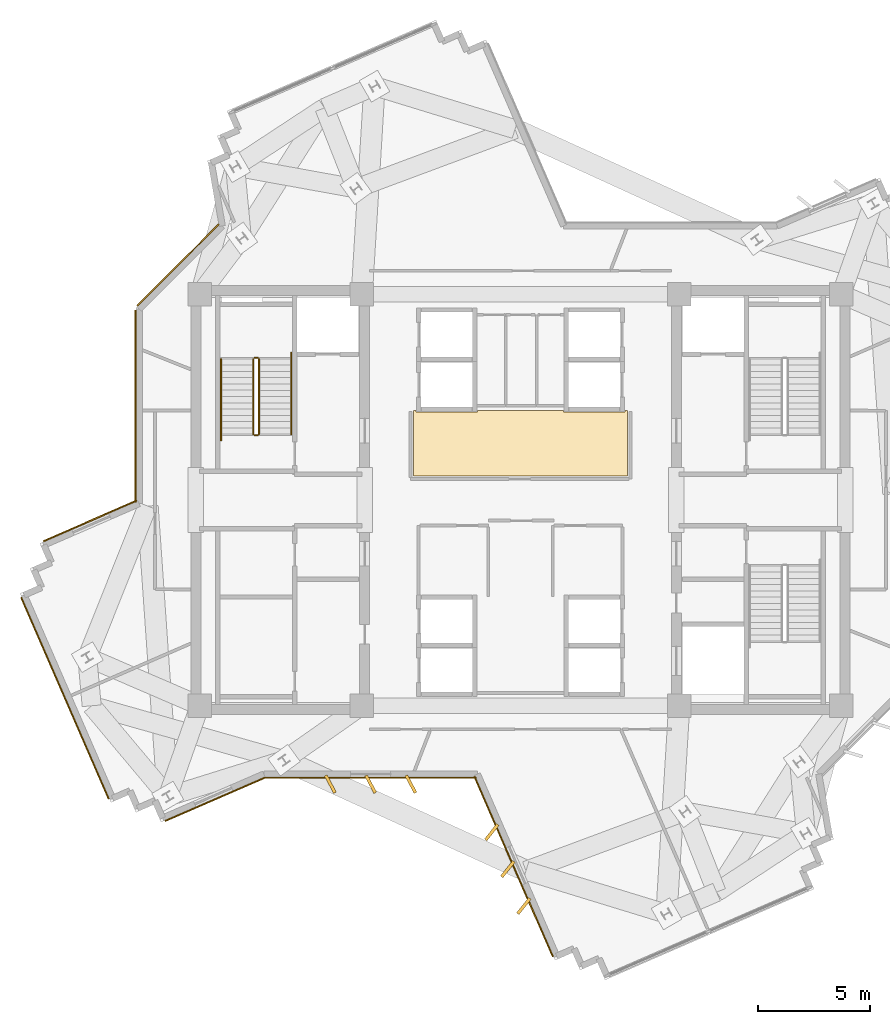
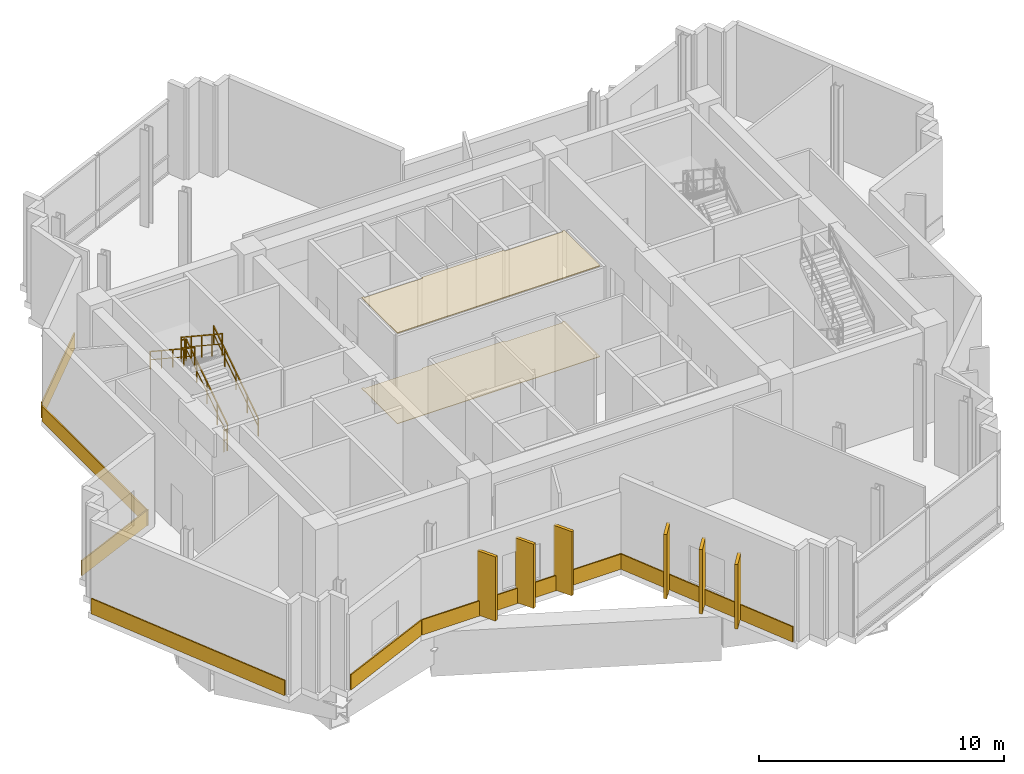
# One storey, part 10 of 11: 15 coverings, 6 railings.
"""IFC4 building model written with IfcOpenShell, lengths in metres."""

from ifc_helpers import new_model, si_unit, direction, frame, origin, origin_2d, place, context, subcontext, project, spatial, polyline, rectangle, outline, extrude, source, transform, mapped, material, layer, layer_set, type_object, element, save


model = new_model("IFC4")

# Units and contexts
model_context = context("Model", 3, precision=1e-05, world=origin(), true_north=direction((0.0, 1.0)))
body_context = subcontext(model_context, "Body", "Model", "MODEL_VIEW")
ifc_project = project(units=[si_unit("LENGTHUNIT", "METRE"), si_unit("AREAUNIT", "SQUARE_METRE"), si_unit("VOLUMEUNIT", "CUBIC_METRE"), si_unit("PLANEANGLEUNIT", "RADIAN"), si_unit("MASSUNIT", "GRAM", prefix="KILO")], contexts=[model_context])

# Site, building, storey
site_placement = place(None, origin())
site = spatial("IfcSite", under=ifc_project, at=site_placement, CompositionType="ELEMENT")
building_placement = place(site_placement, origin())
building = spatial("IfcBuilding", under=site, at=building_placement, Name="Zahravan Cultural Tower", CompositionType="ELEMENT")
storey_placement = place(building_placement, frame((0.0, 0.0, 234.300048828125)))
storey = spatial("IfcBuildingStorey", under=building, at=storey_placement, Name="L55", CompositionType="ELEMENT", Elevation=234.300048828125)

# Coverings
ifc_material_1 = material(Name="Acoustic mineral fibreboard")
ifc_layer_1 = layer(ifc_material_1, 0.0400390625)
ifc_layer_set_1 = layer_set([ifc_layer_1], Name="Acoustic mineral fibreboard")
covering_type_1 = type_object("IfcCoveringType", Name="COV-CEIL-AC20", PredefinedType="CEILING", material=ifc_layer_set_1)
covering_1_placement = place(storey_placement, frame((0.0, 0.0, 4.510009765625)))
element("IfcCovering", 1, at=covering_1_placement, inside=storey, type_object=covering_type_1, Name="L55 Acoustic Suspended Ceiling", PredefinedType="CEILING", context=body_context, shape_type="SweptSolid", body=[
    extrude(outline(polyline([(31.219970703125, 31.0), (31.219970703125, 28.080078125), (40.780029296875, 28.080078125), (40.780029296875, 31.0), (40.669921875, 31.0), (40.669921875, 30.929931640625), (37.929931640625, 30.929931640625), (37.929931640625, 31.0), (34.070068359375, 31.0), (34.070068359375, 30.929931640625), (31.330078125, 30.929931640625), (31.330078125, 31.0), (31.219970703125, 31.0)])), origin(), (0.0, 0.0, 1.0), 0.0400390625),
])
ifc_material_2 = material(Name="Terrazzo flooring")
ifc_layer_2 = layer(ifc_material_2, 0.02490234375)
ifc_layer_set_2 = layer_set([ifc_layer_2], Name="Terrazzo flooring")
covering_type_2 = type_object("IfcCoveringType", Name="COV-FLR-TZ25", PredefinedType="FLOORING", material=ifc_layer_set_2)
covering_2_placement = place(storey_placement, origin())
element("IfcCovering", 2, at=covering_2_placement, inside=storey, type_object=covering_type_2, Name="L55 Polished Terrazzo Flooring", PredefinedType="FLOORING", context=body_context, shape_type="SweptSolid", body=[
    extrude(outline(polyline([(31.219970703125, 31.0), (31.219970703125, 28.080078125), (40.780029296875, 28.080078125), (40.780029296875, 31.0), (40.669921875, 31.0), (40.669921875, 30.929931640625), (37.929931640625, 30.929931640625), (37.929931640625, 31.0), (34.070068359375, 31.0), (34.070068359375, 30.929931640625), (31.330078125, 30.929931640625), (31.330078125, 31.0), (31.219970703125, 31.0)])), origin(), (0.0, 0.0, 1.0), 0.02490234375),
])

# Railings
ifc_material_3 = material(Name="Steel ASTM A572 Grade 50", Category="steel")
railing_type_1 = type_object("IfcRailingType", Name="RL-STAIR-GRD1150", PredefinedType="BALUSTRADE", material=ifc_material_3)
railing_1_placement = place(storey_placement, frame((24.300048828125, 29.949951171875, 0.1845703125)))
element("IfcRailing", 3, at=railing_1_placement, inside=storey, type_object=railing_type_1, Name="L55 ST-W1 stair guard 1", PredefinedType="BALUSTRADE", context=body_context, shape_type="SweptSolid", body=[
    extrude(rectangle(XDim=0.05, YDim=0.05, at=origin_2d()), frame((0.0, 0.0, 1.0751953125), z_axis=(0.0, 0.834876476806, 0.550437342915), x_axis=(-1.0, 0.0, 0.0)), (0.0, 0.0, 1.0), 4.024658203125),
    extrude(rectangle(XDim=0.032, YDim=0.032, at=origin_2d()), frame((0.0, 0.0, 0.572021484375), z_axis=(0.0, 0.834876476806, 0.550437342915), x_axis=(-1.0, 0.0, 0.0)), (0.0, 0.0, 1.0), 4.024658203125),
    extrude(rectangle(XDim=0.04, YDim=0.04, at=origin_2d()), origin(), (0.0, 0.0, 1.0), 1.10009765625),
    extrude(rectangle(XDim=0.04, YDim=0.04, at=origin_2d()), frame((0.0, 0.840087890625, 0.5537109375)), (0.0, 0.0, 1.0), 1.10009765625),
    extrude(rectangle(XDim=0.04, YDim=0.04, at=origin_2d()), frame((0.0, 1.68017578125, 1.107666015625)), (0.0, 0.0, 1.0), 1.10009765625),
    extrude(rectangle(XDim=0.04, YDim=0.04, at=origin_2d()), frame((0.0, 2.52001953125, 1.66162109375)), (0.0, 0.0, 1.0), 1.10009765625),
    extrude(rectangle(XDim=0.04, YDim=0.04, at=origin_2d()), frame((0.0, 3.360107421875, 2.21533203125)), (0.0, 0.0, 1.0), 1.10009765625),
])
railing_2_placement = place(storey_placement, frame((24.25, 33.360107421875, 2.39990234375)))
element("IfcRailing", 4, at=railing_2_placement, inside=storey, type_object=railing_type_1, Name="L55 ST-W1 stair guard 2", PredefinedType="BALUSTRADE", context=body_context, shape_type="SweptSolid", body=[
    extrude(rectangle(XDim=0.05, YDim=0.05, at=origin_2d()), frame((0.0, 0.0, 1.0751953125), z_axis=(-1.0, 0.0, 0.0), x_axis=(0.0, -1.0, 0.0)), (0.0, 0.0, 1.0), 0.14990234375),
    extrude(rectangle(XDim=0.032, YDim=0.032, at=origin_2d()), frame((0.0, 0.0, 0.572021484375), z_axis=(-1.0, 0.0, 0.0), x_axis=(0.0, -1.0, 0.0)), (0.0, 0.0, 1.0), 0.14990234375),
    extrude(rectangle(XDim=0.04, YDim=0.04, at=origin_2d()), origin(), (0.0, 0.0, 1.0), 1.10009765625),
    extrude(rectangle(XDim=0.04, YDim=0.04, at=origin_2d()), frame((-0.14990234375, 0.0, 0.0)), (0.0, 0.0, 1.0), 1.10009765625),
])
railing_3_placement = place(storey_placement, frame((24.050048828125, 33.31005859375, 2.58447265625)))
element("IfcRailing", 5, at=railing_3_placement, inside=storey, type_object=railing_type_1, Name="L55 ST-W1 stair guard 3", PredefinedType="BALUSTRADE", context=body_context, shape_type="SweptSolid", body=[
    extrude(rectangle(XDim=0.05, YDim=0.05, at=origin_2d()), frame((0.0, 0.0, 1.0751953125), z_axis=(0.0, -0.834848600103, 0.550479622607), x_axis=(1.0, 0.0, 0.0)), (0.0, 0.0, 1.0), 4.02490234375),
    extrude(rectangle(XDim=0.032, YDim=0.032, at=origin_2d()), frame((0.0, 0.0, 0.572021484375), z_axis=(0.0, -0.834848600103, 0.550479622607), x_axis=(1.0, 0.0, 0.0)), (0.0, 0.0, 1.0), 4.02490234375),
    extrude(rectangle(XDim=0.04, YDim=0.04, at=origin_2d()), origin(), (0.0, 0.0, 1.0), 1.10009765625),
    extrude(rectangle(XDim=0.04, YDim=0.04, at=origin_2d()), frame((0.0, -0.840087890625, 0.553955078125)), (0.0, 0.0, 1.0), 1.10009765625),
    extrude(rectangle(XDim=0.04, YDim=0.04, at=origin_2d()), frame((0.0, -1.68017578125, 1.10791015625)), (0.0, 0.0, 1.0), 1.10009765625),
    extrude(rectangle(XDim=0.04, YDim=0.04, at=origin_2d()), frame((0.0, -2.52001953125, 1.66162109375)), (0.0, 0.0, 1.0), 1.10009765625),
    extrude(rectangle(XDim=0.04, YDim=0.04, at=origin_2d()), frame((0.0, -3.360107421875, 2.215576171875)), (0.0, 0.0, 1.0), 1.10009765625),
])
railing_4_placement = place(storey_placement, frame((24.25, 29.89990234375, 0.0)))
element("IfcRailing", 6, at=railing_4_placement, inside=storey, type_object=railing_type_1, Name="L55 ST-W1 stair guard 4", PredefinedType="BALUSTRADE", context=body_context, shape_type="SweptSolid", body=[
    extrude(rectangle(XDim=0.05, YDim=0.05, at=origin_2d()), frame((0.0, 0.0, 1.0751953125), z_axis=(-1.0, 0.0, 0.0), x_axis=(0.0, -1.0, 0.0)), (0.0, 0.0, 1.0), 0.14990234375),
    extrude(rectangle(XDim=0.032, YDim=0.032, at=origin_2d()), frame((0.0, 0.0, 0.572021484375), z_axis=(-1.0, 0.0, 0.0), x_axis=(0.0, -1.0, 0.0)), (0.0, 0.0, 1.0), 0.14990234375),
    extrude(rectangle(XDim=0.04, YDim=0.04, at=origin_2d()), origin(), (0.0, 0.0, 1.0), 1.10009765625),
    extrude(rectangle(XDim=0.04, YDim=0.04, at=origin_2d()), frame((-0.14990234375, 0.0, 0.0)), (0.0, 0.0, 1.0), 1.10009765625),
])
railing_type_2 = type_object("IfcRailingType", Name="RL-STAIR-HR900", PredefinedType="HANDRAIL", material=ifc_material_3)
railing_5_placement = place(storey_placement, frame((25.75, 29.949951171875, 0.1845703125)))
element("IfcRailing", 7, at=railing_5_placement, inside=storey, type_object=railing_type_2, Name="L55 ST-W1 stair handrail 1", PredefinedType="HANDRAIL", context=body_context, shape_type="SweptSolid", body=[
    extrude(rectangle(XDim=0.05, YDim=0.05, at=origin_2d()), frame((0.0, 0.0, 0.875), z_axis=(0.0, 0.83488217925, 0.55042869363), x_axis=(-1.0, 0.0, 0.0)), (0.0, 0.0, 1.0), 4.360107421875),
    extrude(rectangle(XDim=0.032, YDim=0.032, at=origin_2d()), frame((0.0, 0.0, 0.468017578125), z_axis=(0.0, 0.83488217925, 0.55042869363), x_axis=(-1.0, 0.0, 0.0)), (0.0, 0.0, 1.0), 4.360107421875),
    extrude(rectangle(XDim=0.04, YDim=0.04, at=origin_2d()), origin(), (0.0, 0.0, 1.0), 0.89990234375),
    extrude(rectangle(XDim=0.04, YDim=0.04, at=origin_2d()), frame((0.0, 0.91015625, 0.60009765625)), (0.0, 0.0, 1.0), 0.89990234375),
    extrude(rectangle(XDim=0.04, YDim=0.04, at=origin_2d()), frame((0.0, 1.820068359375, 1.199951171875)), (0.0, 0.0, 1.0), 0.89990234375),
    extrude(rectangle(XDim=0.04, YDim=0.04, at=origin_2d()), frame((0.0, 2.72998046875, 1.7998046875)), (0.0, 0.0, 1.0), 0.89990234375),
    extrude(rectangle(XDim=0.04, YDim=0.04, at=origin_2d()), frame((0.0, 3.64013671875, 2.39990234375)), (0.0, 0.0, 1.0), 0.89990234375),
])
railing_6_placement = place(storey_placement, frame((22.60009765625, 33.31005859375, 2.58447265625)))
element("IfcRailing", 8, at=railing_6_placement, inside=storey, type_object=railing_type_2, Name="L55 ST-W1 stair handrail 2", PredefinedType="HANDRAIL", context=body_context, shape_type="SweptSolid", body=[
    extrude(rectangle(XDim=0.05, YDim=0.05, at=origin_2d()), frame((0.0, 0.0, 0.875), z_axis=(0.0, -0.834856447115, 0.55046772177), x_axis=(1.0, 0.0, 0.0)), (0.0, 0.0, 1.0), 4.360107421875),
    extrude(rectangle(XDim=0.032, YDim=0.032, at=origin_2d()), frame((0.0, 0.0, 0.468017578125), z_axis=(0.0, -0.834856447115, 0.55046772177), x_axis=(1.0, 0.0, 0.0)), (0.0, 0.0, 1.0), 4.360107421875),
    extrude(rectangle(XDim=0.04, YDim=0.04, at=origin_2d()), origin(), (0.0, 0.0, 1.0), 0.89990234375),
    extrude(rectangle(XDim=0.04, YDim=0.04, at=origin_2d()), frame((0.0, -0.91015625, 0.60009765625)), (0.0, 0.0, 1.0), 0.89990234375),
    extrude(rectangle(XDim=0.04, YDim=0.04, at=origin_2d()), frame((0.0, -1.820068359375, 1.2001953125)), (0.0, 0.0, 1.0), 0.89990234375),
    extrude(rectangle(XDim=0.04, YDim=0.04, at=origin_2d()), frame((0.0, -2.72998046875, 1.800048828125)), (0.0, 0.0, 1.0), 0.89990234375),
    extrude(rectangle(XDim=0.04, YDim=0.04, at=origin_2d()), frame((0.0, -3.64013671875, 2.400146484375)), (0.0, 0.0, 1.0), 0.89990234375),
])

# Coverings
ifc_material_4 = material(Name="Terracotta ceramic cladding", Category="masonry")
ifc_layer_3 = layer(ifc_material_4, 0.06005859375)
ifc_layer_set_3 = layer_set([ifc_layer_3], Name="Terracotta ceramic cladding")
covering_type_3 = type_object("IfcCoveringType", Name="COV-CLAD-TC60", PredefinedType="CLADDING", material=ifc_layer_set_3)
shared_shape_1 = source(origin(), body_context, "Body", "SweptSolid", [
    extrude(rectangle(XDim=9.820068359375, YDim=0.06005859375, at=origin_2d()), origin(), (0.0, 0.0, 1.0), 0.760009765625),
])
covering_3_placement = place(storey_placement, frame((15.620849609375, 18.1318359375, 0.02001953125), z_axis=(0.0, 0.0, 1.0), x_axis=(-0.399005144858, 0.916948686883, 0.0)))
element("IfcCovering", 9, at=covering_3_placement, inside=storey, type_object=covering_type_3, Name="L55 Terracotta Spandrel Cladding 30", PredefinedType="CLADDING", context=body_context, shape_type="MappedRepresentation", body=[
    mapped(shared_shape_1, transform((0.0, 0.0, 0.0), x_axis=(1.0, 0.0, 0.0), y_axis=(0.0, 1.0, 0.0), z_axis=(0.0, 0.0, 1.0), scale=1.0)),
])
shared_shape_2 = source(origin(), body_context, "Body", "SweptSolid", [
    extrude(rectangle(XDim=5.157958984375, YDim=0.06005859375, at=origin_2d()), origin(), (0.0, 0.0, 1.0), 0.760009765625),
])
covering_4_placement = place(storey_placement, frame((20.682373046875, 37.517578125, 0.02001953125), z_axis=(0.0, 0.0, 1.0), x_axis=(0.707106781187, 0.707106781187, 0.0)))
element("IfcCovering", 10, at=covering_4_placement, inside=storey, type_object=covering_type_3, Name="L55 Terracotta Spandrel Cladding 37", PredefinedType="CLADDING", context=body_context, shape_type="MappedRepresentation", body=[
    mapped(shared_shape_2, transform((0.0, 0.0, 0.0), x_axis=(1.0, 0.0, 0.0), y_axis=(0.0, 1.0, 0.0), z_axis=(0.0, 0.0, 1.0), scale=1.0)),
])
shared_shape_3 = source(origin(), body_context, "Body", "SweptSolid", [
    extrude(rectangle(XDim=0.8798828125, YDim=0.139892578125, at=origin_2d()), origin(), (0.0, 0.0, 1.0), 3.199951171875),
])
for number, where, z_axis, x_axis, name in (
    (11, (36.150390625, 8.835205078125, 0.0498046875), (0.0, 0.0, 1.0), (-0.622282404725, -0.782792826212, 0.0), "L55 Herringbone Terracotta Fin 12"),
    (12, (35.432373046875, 10.485595703125, 0.0498046875), (0.0, 0.0, 1.0), (-0.622282404725, -0.782792826212, 0.0), "L55 Herringbone Terracotta Fin 13"),
    (13, (34.714111328125, 12.13623046875, 0.0498046875), (0.0, 0.0, 1.0), (-0.622282404725, -0.782792826212, 0.0), "L55 Herringbone Terracotta Fin 14"),
    (14, (31.0947265625, 14.2900390625, 0.0498046875), (0.0, 0.0, 1.0), (0.469471562786, -0.882947592859, 0.0), "L55 Herringbone Terracotta Fin 15"),
    (15, (29.294677734375, 14.2900390625, 0.0498046875), (0.0, 0.0, 1.0), (0.469471562786, -0.882947592859, 0.0), "L55 Herringbone Terracotta Fin 16"),
    (16, (27.49462890625, 14.2900390625, 0.0498046875), (0.0, 0.0, 1.0), (0.469471562786, -0.882947592859, 0.0), "L55 Herringbone Terracotta Fin 17"),
):
    element("IfcCovering", number, at=place(storey_placement, frame(where, z_axis=z_axis, x_axis=x_axis)), inside=storey, type_object=covering_type_3, Name=name, PredefinedType="CLADDING", context=body_context, shape_type="MappedRepresentation", body=[
        mapped(shared_shape_3, transform((0.0, 0.0, 0.0), x_axis=(1.0, 0.0, 0.0), y_axis=(0.0, 1.0, 0.0), z_axis=(0.0, 0.0, 1.0), scale=1.0)),
    ])
shared_shape_4 = source(origin(), body_context, "Body", "SweptSolid", [
    extrude(rectangle(XDim=4.83935546875, YDim=0.06005859375, at=origin_2d()), origin(), (0.0, 0.0, 1.0), 0.760009765625),
])
covering_5_placement = place(storey_placement, frame((22.31884765625, 13.603271484375, 0.02001953125), z_axis=(0.0, 0.0, 1.0), x_axis=(-0.91694172279, -0.399021148571, 0.0)))
element("IfcCovering", 17, at=covering_5_placement, inside=storey, type_object=covering_type_3, Name="L55 Terracotta Spandrel Cladding 25", PredefinedType="CLADDING", context=body_context, shape_type="MappedRepresentation", body=[
    mapped(shared_shape_4, transform((0.0, 0.0, 0.0), x_axis=(1.0, 0.0, 0.0), y_axis=(0.0, 1.0, 0.0), z_axis=(0.0, 0.0, 1.0), scale=1.0)),
])
shared_shape_5 = source(origin(), body_context, "Body", "SweptSolid", [
    extrude(rectangle(XDim=4.552978515625, YDim=0.06005859375, at=origin_2d()), origin(), (0.0, 0.0, 1.0), 0.760009765625),
])
covering_6_placement = place(storey_placement, frame((16.740966796875, 26.0625, 0.02001953125), z_axis=(0.0, 0.0, 1.0), x_axis=(0.916948686883, 0.399005144858, 0.0)))
element("IfcCovering", 18, at=covering_6_placement, inside=storey, type_object=covering_type_3, Name="L55 Terracotta Spandrel Cladding 35", PredefinedType="CLADDING", context=body_context, shape_type="MappedRepresentation", body=[
    mapped(shared_shape_5, transform((0.0, 0.0, 0.0), x_axis=(1.0, 0.0, 0.0), y_axis=(0.0, 1.0, 0.0), z_axis=(0.0, 0.0, 1.0), scale=1.0)),
])
shared_shape_6 = source(origin(), body_context, "Body", "SweptSolid", [
    extrude(rectangle(XDim=8.6025390625, YDim=0.06005859375, at=origin_2d()), origin(), (0.0, 0.0, 1.0), 0.760009765625),
])
covering_7_placement = place(storey_placement, frame((18.77490234375, 31.190673828125, 0.02001953125), z_axis=(0.0, 0.0, 1.0), x_axis=(0.0, 1.0, 0.0)))
element("IfcCovering", 19, at=covering_7_placement, inside=storey, type_object=covering_type_3, Name="L55 Terracotta Spandrel Cladding 36", PredefinedType="CLADDING", context=body_context, shape_type="MappedRepresentation", body=[
    mapped(shared_shape_6, transform((0.0, 0.0, 0.0), x_axis=(1.0, 0.0, 0.0), y_axis=(0.0, 1.0, 0.0), z_axis=(0.0, 0.0, 1.0), scale=1.0)),
])
shared_shape_7 = source(origin(), body_context, "Body", "SweptSolid", [
    extrude(rectangle(XDim=8.78759765625, YDim=0.06005859375, at=origin_2d()), origin(), (0.0, 0.0, 1.0), 0.760009765625),
])
covering_8_placement = place(storey_placement, frame((35.693603515625, 10.599365234375, 0.02001953125), z_axis=(0.0, 0.0, 1.0), x_axis=(-0.399021148571, 0.91694172279, 0.0)))
element("IfcCovering", 20, at=covering_8_placement, inside=storey, type_object=covering_type_3, Name="L55 Terracotta Spandrel Cladding 23", PredefinedType="CLADDING", context=body_context, shape_type="MappedRepresentation", body=[
    mapped(shared_shape_7, transform((0.0, 0.0, 0.0), x_axis=(1.0, 0.0, 0.0), y_axis=(0.0, 1.0, 0.0), z_axis=(0.0, 0.0, 1.0), scale=1.0)),
])
shared_shape_8 = source(origin(), body_context, "Body", "SweptSolid", [
    extrude(rectangle(XDim=9.454345703125, YDim=0.06005859375, at=origin_2d()), origin(), (0.0, 0.0, 1.0), 0.760009765625),
])
covering_9_placement = place(storey_placement, frame((29.294677734375, 14.574951171875, 0.02001953125), z_axis=(0.0, 0.0, 1.0), x_axis=(-1.0, 0.0, 0.0)))
element("IfcCovering", 21, at=covering_9_placement, inside=storey, type_object=covering_type_3, Name="L55 Terracotta Spandrel Cladding 24", PredefinedType="CLADDING", context=body_context, shape_type="MappedRepresentation", body=[
    mapped(shared_shape_8, transform((0.0, 0.0, 0.0), x_axis=(1.0, 0.0, 0.0), y_axis=(0.0, 1.0, 0.0), z_axis=(0.0, 0.0, 1.0), scale=1.0)),
])

save(model, "model.ifc")
